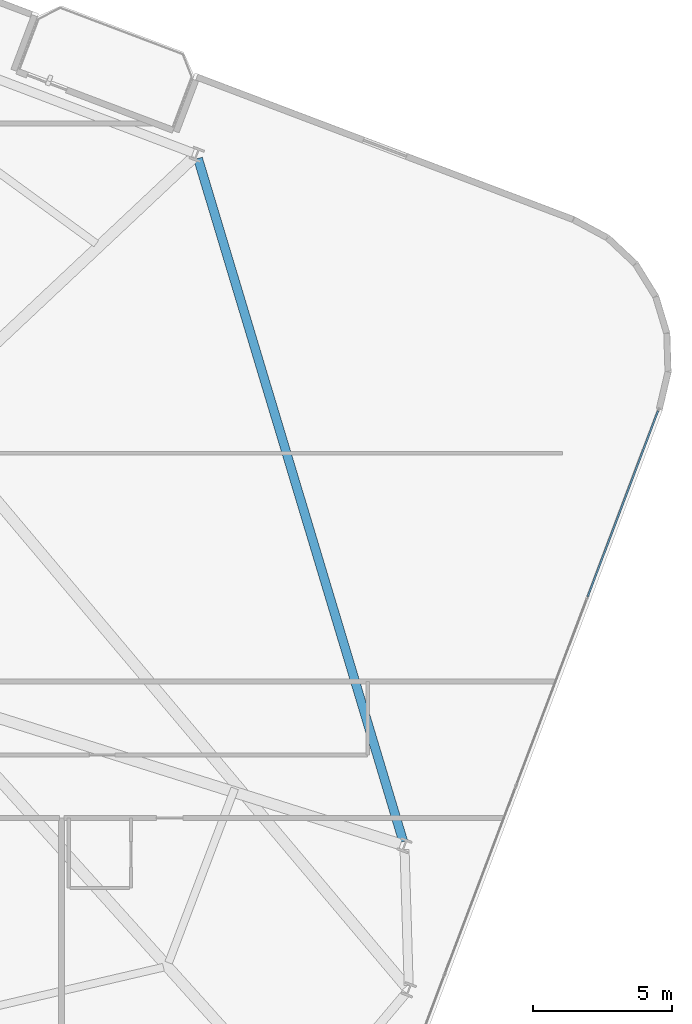
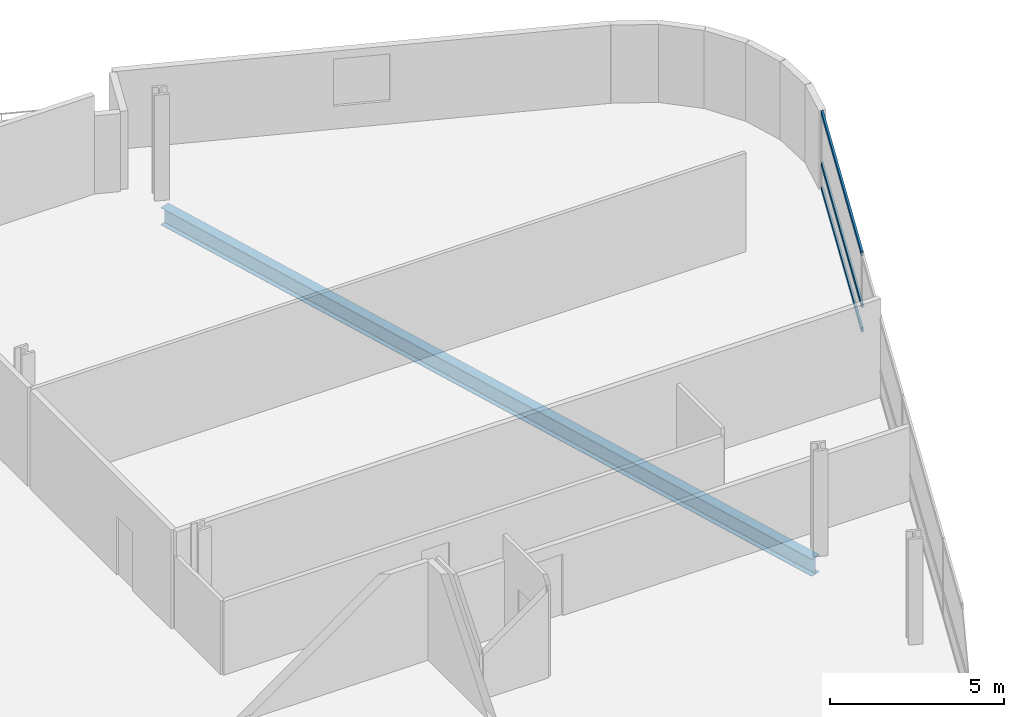
# One storey, part 15 of 25: 3 members, 1 beam, 1 element without a shape of its own.
"""IFC4 building model written with IfcOpenShell, lengths in metres."""

from ifc_helpers import new_model, si_unit, direction, frame, origin, origin_2d, place, context, subcontext, project, spatial, hollow_rectangle, i_section, extrude, material, layer, layer_set, material_profile, profile_set, type_object, element, aggregate, save


model = new_model("IFC4")

# Units and contexts
model_context = context("Model", 3, precision=1e-05, world=origin(), true_north=direction((0.0, 1.0)))
body_context = subcontext(model_context, "Body", "Model", "MODEL_VIEW")
ifc_project = project(units=[si_unit("LENGTHUNIT", "METRE"), si_unit("AREAUNIT", "SQUARE_METRE"), si_unit("VOLUMEUNIT", "CUBIC_METRE"), si_unit("PLANEANGLEUNIT", "RADIAN"), si_unit("MASSUNIT", "GRAM", prefix="KILO")], contexts=[model_context])

# Site, building, storey
site_placement = place(None, origin())
site = spatial("IfcSite", under=ifc_project, at=site_placement, CompositionType="ELEMENT")
building_placement = place(site_placement, origin())
building = spatial("IfcBuilding", under=site, at=building_placement, Name="Varnelok Gate Tower", CompositionType="ELEMENT")
storey_placement = place(building_placement, frame((0.0, 0.0, 91.0)))
storey = spatial("IfcBuildingStorey", under=building, at=storey_placement, Name="L22", CompositionType="ELEMENT", Elevation=91.0)

# Beam
ifc_material_1 = material(Name="Structural Steel ASTM A992 Grade 50", Category="steel")
ifc_material_profile_1 = material_profile(ifc_material_1, i_section(OverallWidth=0.323974609375, OverallDepth=0.611083984375, WebThickness=0.0126953125, FlangeThickness=0.01904296875, FilletRadius=0.01806640625, at=origin_2d()), Name="W24X104")
ifc_profile_set_1 = profile_set([ifc_material_profile_1], Name="Structural Steel ASTM A992 Grade 50")
beam_type = type_object("IfcBeamType", Name="BM-SPN-W24X104", PredefinedType="SPANDREL", material=ifc_profile_set_1)
beam_placement = place(storey_placement, frame((71.27587890625, 13.497802734375, -0.555419921875), z_axis=(-0.287745549664, 0.957706896001, 0.0), x_axis=(-0.957706896001, -0.287745549664, 0.0)))
element("IfcBeam", 1, at=beam_placement, inside=storey, type_object=beam_type, Name="L22 Perimeter Spandrel Beam 8", PredefinedType="SPANDREL", context=body_context, shape_type="SweptSolid", body=[
    extrude(i_section(OverallWidth=0.323974609375, OverallDepth=0.611083984375, WebThickness=0.0126953125, FlangeThickness=0.01904296875, FilletRadius=0.01806640625, at=origin_2d()), origin(), (0.0, 0.0, 1.0), 25.6259765625),
])

# Curtain wall, members
ifc_material_2 = material(Name="Anodized Aluminum Alloy 6063-T6", Category="aluminium")
ifc_layer = layer(ifc_material_2, 0.179931640625)
ifc_layer_set = layer_set([ifc_layer], Name="Anodized Aluminum Alloy 6063-T6")
curtain_wall_type = type_object("IfcCurtainWallType", Name="CW3-HOTEL-VISION", PredefinedType="USERDEFINED", material=ifc_layer_set)
curtain_wall_placement = place(storey_placement, origin())
curtain_wall = element("IfcCurtainWall", 2, at=curtain_wall_placement, inside=storey, type_object=curtain_wall_type, Name="L22 East End Vision Curtain Wall", ObjectType="UNITISED CURTAIN WALL", PredefinedType="USERDEFINED")
ifc_material_profile_2 = material_profile(ifc_material_2, hollow_rectangle(XDim=0.06494140625, YDim=0.159912109375, WallThickness=0.00390625, at=origin_2d()), Name="ALU160X65X4")
ifc_profile_set_2 = profile_set([ifc_material_profile_2], Name="Anodized Aluminum Alloy 6063-T6")
member_type = type_object("IfcMemberType", Name="CW-TRAN-160", PredefinedType="USERDEFINED", material=ifc_profile_set_2)
member_1_placement = place(storey_placement, frame((80.431884765625, 28.974365234375, 0.032470703125), z_axis=(-0.35404725046, -0.935227536187, 0.0), x_axis=(0.935227536187, -0.35404725046, 0.0)))
member_1 = element("IfcMember", 3, at=member_1_placement, type_object=member_type, Name="CW3 transom 1.1", ObjectType="TRANSOM", PredefinedType="USERDEFINED", context=body_context, shape_type="SweptSolid", body=[
    extrude(hollow_rectangle(XDim=0.06494140625, YDim=0.159912109375, WallThickness=0.00390625, at=origin_2d()), origin(), (0.0, 0.0, 1.0), 7.142578125),
])
member_2_placement = place(storey_placement, frame((80.431884765625, 28.974365234375, 0.89990234375), z_axis=(-0.35404725046, -0.935227536187, 0.0), x_axis=(0.935227536187, -0.35404725046, 0.0)))
member_2 = element("IfcMember", 4, at=member_2_placement, type_object=member_type, Name="CW3 transom 1.2", ObjectType="TRANSOM", PredefinedType="USERDEFINED", context=body_context, shape_type="SweptSolid", body=[
    extrude(hollow_rectangle(XDim=0.06494140625, YDim=0.159912109375, WallThickness=0.00390625, at=origin_2d()), origin(), (0.0, 0.0, 1.0), 7.142578125),
])
member_3_placement = place(storey_placement, frame((80.431884765625, 28.974365234375, 2.697509765625), z_axis=(-0.35404725046, -0.935227536187, 0.0), x_axis=(0.935227536187, -0.35404725046, 0.0)))
member_3 = element("IfcMember", 5, at=member_3_placement, type_object=member_type, Name="CW3 transom 1.3", ObjectType="TRANSOM", PredefinedType="USERDEFINED", context=body_context, shape_type="SweptSolid", body=[
    extrude(hollow_rectangle(XDim=0.06494140625, YDim=0.159912109375, WallThickness=0.00390625, at=origin_2d()), origin(), (0.0, 0.0, 1.0), 7.142578125),
])
aggregate(curtain_wall, [member_1, member_2, member_3])

save(model, "model.ifc")
